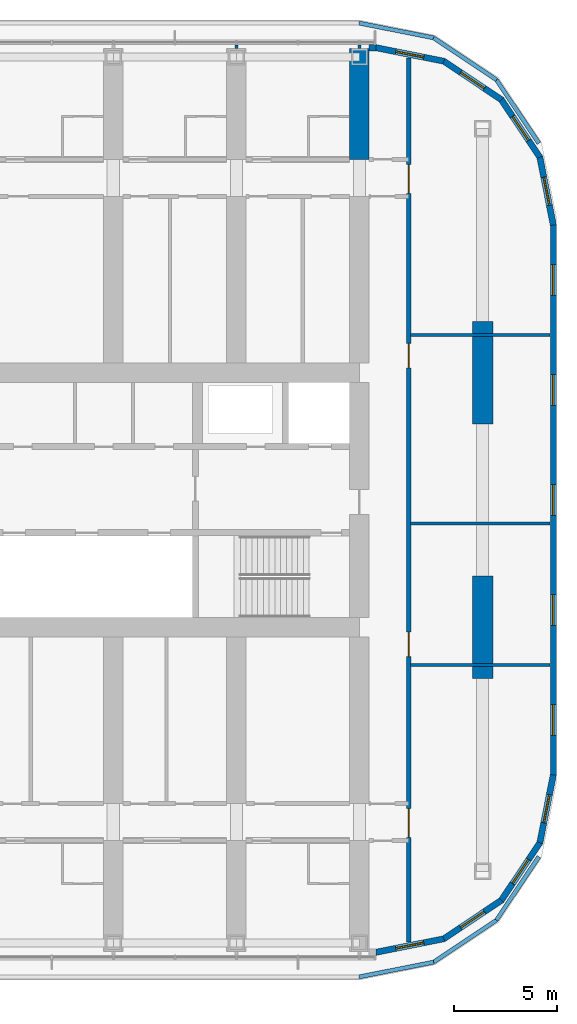
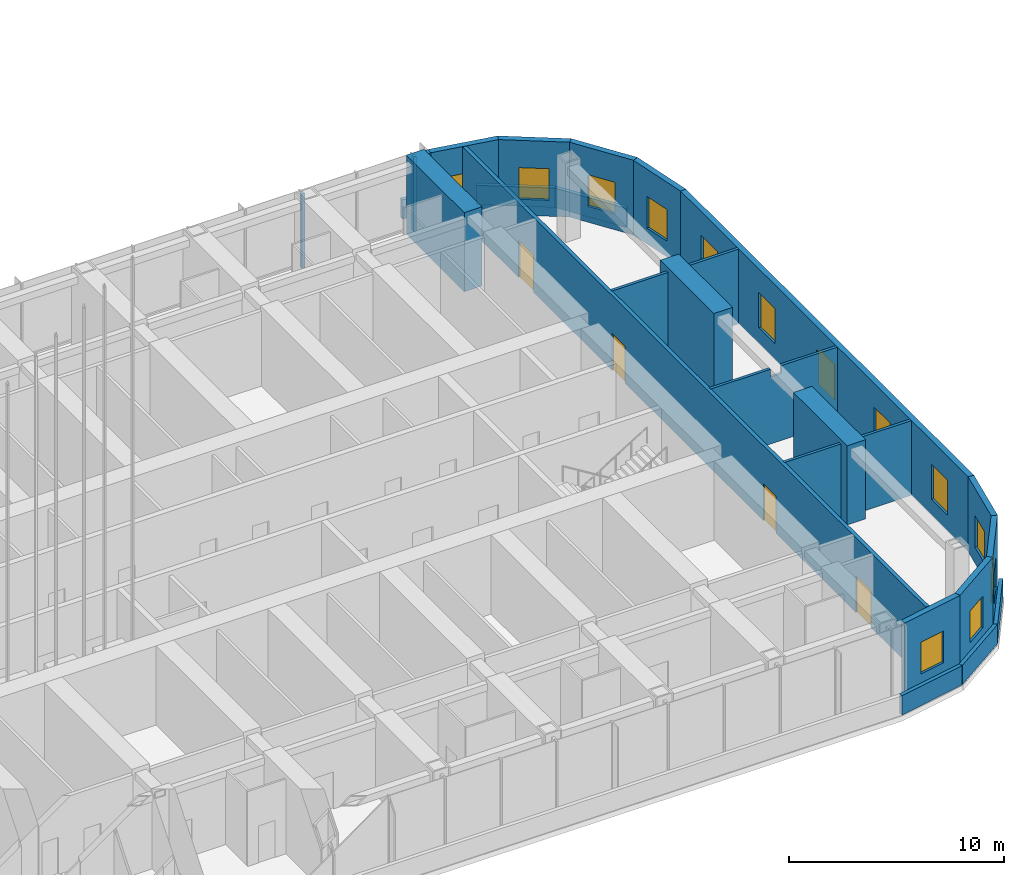
# One storey, part 17 of 32: 25 walls, 13 windows, 4 doors, 17 openings.
"""IFC4 building model written with IfcOpenShell, lengths in metres."""

from ifc_helpers import new_model, si_unit, direction, frame, frame_2d, origin, place, context, subcontext, project, spatial, polyline, rectangle, outline, extrude, material, layer, layer_set, type_object, element, fill, save


model = new_model("IFC4")

# Units and contexts
model_context = context("Model", 3, precision=1e-05, world=origin(), true_north=direction((0.0, 1.0)))
body_context = subcontext(model_context, "Body", "Model", "MODEL_VIEW")
ifc_project = project(units=[si_unit("LENGTHUNIT", "METRE"), si_unit("AREAUNIT", "SQUARE_METRE"), si_unit("VOLUMEUNIT", "CUBIC_METRE"), si_unit("PLANEANGLEUNIT", "RADIAN"), si_unit("MASSUNIT", "GRAM", prefix="KILO")], contexts=[model_context])

# Site, building, storey
site_placement = place(None, origin())
site = spatial("IfcSite", under=ifc_project, at=site_placement, CompositionType="ELEMENT")
building_placement = place(site_placement, origin())
building = spatial("IfcBuilding", under=site, at=building_placement, Name="Orbita Commons", CompositionType="ELEMENT")
storey_placement = place(building_placement, frame((0.0, 0.0, 140.35009765625)))
storey = spatial("IfcBuildingStorey", under=building, at=storey_placement, Name="L34", CompositionType="ELEMENT", Elevation=140.35009765625)

# Wall, openings, doors
ifc_material_1 = material(Name="Concrete blockwork", Category="masonry")
ifc_layer_1 = layer(ifc_material_1, 0.199951171875)
ifc_layer_set_1 = layer_set([ifc_layer_1], Name="Concrete blockwork")
wall_type_1 = type_object("IfcWallType", Name="Corridor wall 200 blockwork", PredefinedType="SOLIDWALL", material=ifc_layer_set_1)
wall_1_placement = place(storey_placement, frame((68.39990234375, 10.4462890625, 0.0), z_axis=(0.0, 0.0, 1.0), x_axis=(0.0, 1.0, 0.0)))
wall_1 = element("IfcWall", 1, at=wall_1_placement, inside=storey, type_object=wall_type_1, Name="Corridor wall 200 blockwork L34", PredefinedType="SOLIDWALL", context=body_context, shape_type="SweptSolid", body=[
    extrude(rectangle(XDim=43.107421875, YDim=0.199951171875, at=frame_2d((21.5537109375, 0.0))), origin(), (0.0, 0.0, 1.0), 4.25),
])
opening_1_placement = place(wall_1_placement, frame((13.913818359375, 0.0, 0.0)))
opening_1 = element("IfcOpeningElement", 2, at=opening_1_placement, cuts=wall_1, Name="Opening D15", PredefinedType="OPENING", context=body_context, shape_type="SweptSolid", body=[
    extrude(rectangle(XDim=1.199951171875, YDim=2.10009765625, at=frame_2d((0.60009765625, 1.050048828125))), frame((0.0, 0.10986328125, 0.0), z_axis=(0.0, -1.0, 0.0), x_axis=(1.0, 0.0, 0.0)), (0.0, 0.0, 1.0), 0.219970703125),
])
opening_2_placement = place(wall_1_placement, frame((27.993896484375, 0.0, 0.0)))
opening_2 = element("IfcOpeningElement", 3, at=opening_2_placement, cuts=wall_1, Name="Opening D15", PredefinedType="OPENING", context=body_context, shape_type="SweptSolid", body=[
    extrude(rectangle(XDim=1.199951171875, YDim=2.10009765625, at=frame_2d((0.60009765625, 1.050048828125))), frame((0.0, 0.10986328125, 0.0), z_axis=(0.0, -1.0, 0.0), x_axis=(1.0, 0.0, 0.0)), (0.0, 0.0, 1.0), 0.219970703125),
])
opening_3_placement = place(wall_1_placement, frame((5.103759765625, 0.0, 0.0)))
opening_3 = element("IfcOpeningElement", 4, at=opening_3_placement, cuts=wall_1, Name="Opening D08", PredefinedType="OPENING", context=body_context, shape_type="SweptSolid", body=[
    extrude(rectangle(XDim=1.39990234375, YDim=2.10009765625, at=frame_2d((0.699951171875, 1.050048828125))), frame((0.0, 0.10986328125, 0.0), z_axis=(0.0, -1.0, 0.0), x_axis=(1.0, 0.0, 0.0)), (0.0, 0.0, 1.0), 0.219970703125),
])
opening_4_placement = place(wall_1_placement, frame((36.50390625, 0.0, 0.0)))
opening_4 = element("IfcOpeningElement", 5, at=opening_4_placement, cuts=wall_1, Name="Opening D08", PredefinedType="OPENING", context=body_context, shape_type="SweptSolid", body=[
    extrude(rectangle(XDim=1.39990234375, YDim=2.10009765625, at=frame_2d((0.699951171875, 1.050048828125))), frame((0.0, 0.10986328125, 0.0), z_axis=(0.0, -1.0, 0.0), x_axis=(1.0, 0.0, 0.0)), (0.0, 0.0, 1.0), 0.219970703125),
])
ifc_material_2 = material(Name="Steel-faced fire door leaf", Category="steel")
door_type_1 = type_object("IfcDoorType", Name="Corridor door 20 min 1200x2100", OperationType="SINGLE_SWING_LEFT", PredefinedType="DOOR", material=ifc_material_2)
door_1_placement = place(opening_1_placement, origin())
door_1 = element("IfcDoor", 6, at=door_1_placement, inside=storey, type_object=door_type_1, Name="Study hall door", OperationType="SINGLE_SWING_LEFT", OverallHeight=2.10009765625, OverallWidth=1.199951171875, PredefinedType="DOOR", context=body_context, shape_type="SweptSolid", body=[
    extrude(rectangle(XDim=1.199951171875, YDim=2.10009765625, at=frame_2d((0.60009765625, 1.050048828125))), frame((0.0, 0.02490234375, 0.0), z_axis=(0.0, -1.0, 0.0), x_axis=(1.0, 0.0, 0.0)), (0.0, 0.0, 1.0), 0.050048828125),
])
fill(opening_1, door_1)
door_2_placement = place(opening_2_placement, origin())
door_2 = element("IfcDoor", 7, at=door_2_placement, inside=storey, type_object=door_type_1, Name="Study hall door", OperationType="SINGLE_SWING_LEFT", OverallHeight=2.10009765625, OverallWidth=1.199951171875, PredefinedType="DOOR", context=body_context, shape_type="SweptSolid", body=[
    extrude(rectangle(XDim=1.199951171875, YDim=2.10009765625, at=frame_2d((0.60009765625, 1.050048828125))), frame((0.0, 0.02490234375, 0.0), z_axis=(0.0, -1.0, 0.0), x_axis=(1.0, 0.0, 0.0)), (0.0, 0.0, 1.0), 0.050048828125),
])
fill(opening_2, door_2)
ifc_material_3 = material(Name="Steel-faced fire door leaf", Category="steel")
door_type_2 = type_object("IfcDoorType", Name="Double corridor door 20 min 1400x2100", OperationType="DOUBLE_DOOR_SINGLE_SWING", PredefinedType="DOOR", material=ifc_material_3)
door_3_placement = place(opening_3_placement, origin())
door_3 = element("IfcDoor", 8, at=door_3_placement, inside=storey, type_object=door_type_2, Name="Lounge doors", OperationType="DOUBLE_DOOR_SINGLE_SWING", OverallHeight=2.10009765625, OverallWidth=1.39990234375, PredefinedType="DOOR", context=body_context, shape_type="SweptSolid", body=[
    extrude(rectangle(XDim=1.39990234375, YDim=2.10009765625, at=frame_2d((0.699951171875, 1.050048828125))), frame((0.0, 0.02490234375, 0.0), z_axis=(0.0, -1.0, 0.0), x_axis=(1.0, 0.0, 0.0)), (0.0, 0.0, 1.0), 0.050048828125),
])
fill(opening_3, door_3)
door_4_placement = place(opening_4_placement, origin())
door_4 = element("IfcDoor", 9, at=door_4_placement, inside=storey, type_object=door_type_2, Name="Lounge doors", OperationType="DOUBLE_DOOR_SINGLE_SWING", OverallHeight=2.10009765625, OverallWidth=1.39990234375, PredefinedType="DOOR", context=body_context, shape_type="SweptSolid", body=[
    extrude(rectangle(XDim=1.39990234375, YDim=2.10009765625, at=frame_2d((0.699951171875, 1.050048828125))), frame((0.0, 0.02490234375, 0.0), z_axis=(0.0, -1.0, 0.0), x_axis=(1.0, 0.0, 0.0)), (0.0, 0.0, 1.0), 0.050048828125),
])
fill(opening_4, door_4)

# Walls
ifc_material_4 = material(Name="Concrete C50/60", Category="concrete")
ifc_layer_2 = layer(ifc_material_4, 0.949951171875)
ifc_layer_set_2 = layer_set([ifc_layer_2], Name="Concrete C50/60")
wall_type_2 = type_object("IfcWallType", Name="Cross wall 950 C50/60", PredefinedType="SHEAR", material=ifc_layer_set_2)
wall_2_placement = place(storey_placement, frame((66.0, 48.60009765625, 0.0), z_axis=(0.0, 0.0, 1.0), x_axis=(0.0, 1.0, 0.0)))
element("IfcWall", 10, at=wall_2_placement, inside=storey, type_object=wall_type_2, Name="Cross wall 12 north outer L34", PredefinedType="SHEAR", context=body_context, shape_type="SweptSolid", body=[
    extrude(rectangle(XDim=5.39990234375, YDim=0.949951171875, at=frame_2d((2.699951171875, 0.0))), origin(), (0.0, 0.0, 1.0), 4.5),
])
ifc_material_5 = material(Name="Concrete C50/60", Category="concrete")
ifc_layer_3 = layer(ifc_material_5, 1.0)
ifc_layer_set_3 = layer_set([ifc_layer_3], Name="Concrete C50/60")
wall_type_3 = type_object("IfcWallType", Name="End pier 1000x5000 C50/60", PredefinedType="SHEAR", material=ifc_layer_set_3)
for number, where, z_axis, x_axis, name in (
    (11, (72.0, 23.300048828125, 0.0), (0.0, 0.0, 1.0), (0.0, 1.0, 0.0), "End pier 13/C L34"),
    (12, (72.0, 35.699951171875, 0.0), (0.0, 0.0, 1.0), (0.0, 1.0, 0.0), "End pier 13/D L34"),
):
    element("IfcWall", number, at=place(storey_placement, frame(where, z_axis=z_axis, x_axis=x_axis)), inside=storey, type_object=wall_type_3, Name=name, PredefinedType="SHEAR", context=body_context, shape_type="SweptSolid", body=[
        extrude(rectangle(XDim=5.0, YDim=1.0, at=frame_2d((2.5, 0.0))), origin(), (0.0, 0.0, 1.0), 4.5),
    ])
ifc_material_6 = material(Name="Gypsum plasterboard on steel studs", Category="steel")
ifc_layer_4 = layer(ifc_material_6, 0.14990234375)
ifc_layer_set_4 = layer_set([ifc_layer_4], Name="Gypsum plasterboard on steel studs")
wall_type_4 = type_object("IfcWallType", Name="Partition 150 plasterboard", PredefinedType="PARTITIONING", material=ifc_layer_set_4)
wall_3_placement = place(storey_placement, frame((68.47509765625, 30.85009765625, 0.0), z_axis=(0.0, 0.0, 1.0), x_axis=(1.0, 0.0, 0.0)))
element("IfcWall", 13, at=wall_3_placement, inside=storey, type_object=wall_type_4, Name="Partition 150 plasterboard L34", PredefinedType="PARTITIONING", context=body_context, shape_type="SweptSolid", body=[
    extrude(outline(polyline([(0.0, 0.0), (6.81982421875, 0.0), (6.820068359375, 4.25), (3.826904296875, 4.25), (3.824951171875, 3.7998046875), (3.22705078125, 3.7998046875), (3.22509765625, 4.25), (0.0, 4.25), (0.0, 0.0)])), frame((0.0, 0.074951171875, 0.0), z_axis=(0.0, -1.0, 0.0), x_axis=(1.0, 0.0, 0.0)), (0.0, 0.0, 1.0), 0.14990234375),
])
for number, where, z_axis, x_axis, name in (
    (14, (68.47509765625, 23.9599609375, 0.0), (0.0, 0.0, 1.0), (1.0, 0.0, 0.0), "Partition 150 plasterboard L34"),
    (15, (68.47509765625, 40.0400390625, 0.0), (0.0, 0.0, 1.0), (1.0, 0.0, 0.0), "Partition 150 plasterboard L34"),
):
    element("IfcWall", number, at=place(storey_placement, frame(where, z_axis=z_axis, x_axis=x_axis)), inside=storey, type_object=wall_type_4, Name=name, PredefinedType="PARTITIONING", context=body_context, shape_type="SweptSolid", body=[
        extrude(rectangle(XDim=6.81982421875, YDim=0.14990234375, at=frame_2d((3.409912109375, 0.0))), origin(), (0.0, 0.0, 1.0), 4.25),
    ])
for number, where, z_axis, x_axis, name in (
    (16, (60.0, 54.0, 0.0), (0.0, 0.0, 1.0), (0.0, 1.0, 0.0), "Partition 150 plasterboard L34"),
    (17, (66.0, 54.0, 0.0), (0.0, 0.0, 1.0), (0.0, 1.0, 0.0), "Partition 150 plasterboard L34"),
):
    element("IfcWall", number, at=place(storey_placement, frame(where, z_axis=z_axis, x_axis=x_axis)), inside=storey, type_object=wall_type_4, Name=name, PredefinedType="PARTITIONING", context=body_context, shape_type="SweptSolid", body=[
        extrude(rectangle(XDim=0.18994140625, YDim=0.14990234375, at=frame_2d((0.094970703125, 0.0))), origin(), (0.0, 0.0, 1.0), 4.25),
    ])

# Wall, openings, windows
ifc_material_7 = material(Name="Precast concrete C40/50, white board-marked finish", Category="concrete")
ifc_layer_5 = layer(ifc_material_7, 0.300048828125)
ifc_layer_set_5 = layer_set([ifc_layer_5], Name="Precast concrete C40/50, white board-marked finish")
wall_type_5 = type_object("IfcWallType", Name="Precast concrete end shield 300", PredefinedType="SOLIDWALL", material=ifc_layer_set_5)
wall_4_placement = place(storey_placement, frame((75.449951171875, 18.60009765625, 0.0), z_axis=(0.0, 0.0, 1.0), x_axis=(0.0, 1.0, 0.0)))
wall_4 = element("IfcWall", 18, at=wall_4_placement, inside=storey, type_object=wall_type_5, Name="End shield E L34", PredefinedType="SOLIDWALL", context=body_context, shape_type="SweptSolid", body=[
    extrude(outline(polyline([(-0.014892578125, -0.14990234375), (26.814697265625, -0.14990234375), (26.784912109375, 0.14990234375), (0.014892578125, 0.14990234375), (-0.014892578125, -0.14990234375)])), origin(), (0.0, 0.0, 1.0), 4.25),
])
opening_5_placement = place(wall_4_placement, frame((1.929931640625, 0.0, 0.89990234375)))
opening_5 = element("IfcOpeningElement", 19, at=opening_5_placement, cuts=wall_4, Name="Opening W01", PredefinedType="OPENING", context=body_context, shape_type="SweptSolid", body=[
    extrude(rectangle(XDim=1.5, YDim=2.0, at=frame_2d((0.75, 1.0))), frame((0.0, 0.159912109375, 0.0), z_axis=(0.0, -1.0, 0.0), x_axis=(1.0, 0.0, 0.0)), (0.0, 0.0, 1.0), 0.320068359375),
])
opening_6_placement = place(wall_4_placement, frame((7.2900390625, 0.0, 0.89990234375)))
opening_6 = element("IfcOpeningElement", 20, at=opening_6_placement, cuts=wall_4, Name="Opening W01", PredefinedType="OPENING", context=body_context, shape_type="SweptSolid", body=[
    extrude(rectangle(XDim=1.5, YDim=2.0, at=frame_2d((0.75, 1.0))), frame((0.0, 0.159912109375, 0.0), z_axis=(0.0, -1.0, 0.0), x_axis=(1.0, 0.0, 0.0)), (0.0, 0.0, 1.0), 0.320068359375),
])
opening_7_placement = place(wall_4_placement, frame((12.64990234375, 0.0, 0.89990234375)))
opening_7 = element("IfcOpeningElement", 21, at=opening_7_placement, cuts=wall_4, Name="Opening W01", PredefinedType="OPENING", context=body_context, shape_type="SweptSolid", body=[
    extrude(rectangle(XDim=1.5, YDim=2.0, at=frame_2d((0.75, 1.0))), frame((0.0, 0.159912109375, 0.0), z_axis=(0.0, -1.0, 0.0), x_axis=(1.0, 0.0, 0.0)), (0.0, 0.0, 1.0), 0.320068359375),
])
opening_8_placement = place(wall_4_placement, frame((18.010009765625, 0.0, 0.89990234375)))
opening_8 = element("IfcOpeningElement", 22, at=opening_8_placement, cuts=wall_4, Name="Opening W01", PredefinedType="OPENING", context=body_context, shape_type="SweptSolid", body=[
    extrude(rectangle(XDim=1.5, YDim=2.0, at=frame_2d((0.75, 1.0))), frame((0.0, 0.159912109375, 0.0), z_axis=(0.0, -1.0, 0.0), x_axis=(1.0, 0.0, 0.0)), (0.0, 0.0, 1.0), 0.320068359375),
])
opening_9_placement = place(wall_4_placement, frame((23.3701171875, 0.0, 0.89990234375)))
opening_9 = element("IfcOpeningElement", 23, at=opening_9_placement, cuts=wall_4, Name="Opening W01", PredefinedType="OPENING", context=body_context, shape_type="SweptSolid", body=[
    extrude(rectangle(XDim=1.5, YDim=2.0, at=frame_2d((0.75, 1.0))), frame((0.0, 0.159912109375, 0.0), z_axis=(0.0, -1.0, 0.0), x_axis=(1.0, 0.0, 0.0)), (0.0, 0.0, 1.0), 0.320068359375),
])
ifc_material_8 = material(Name="Aluminium frame, clear double glazing", Category="aluminium")
window_type_1 = type_object("IfcWindowType", Name="Deep-set window 1500x2000", PartitioningType="SINGLE_PANEL", PredefinedType="WINDOW", material=ifc_material_8)
window_1_placement = place(opening_5_placement, origin())
window_1 = element("IfcWindow", 24, at=window_1_placement, inside=storey, type_object=window_type_1, Name="Window L34-E 1", OverallHeight=2.0, OverallWidth=1.5, PartitioningType="SINGLE_PANEL", PredefinedType="WINDOW", context=body_context, shape_type="SweptSolid", body=[
    extrude(rectangle(XDim=1.5, YDim=2.0, at=frame_2d((0.75, 1.0))), frame((0.0, 0.030029296875, 0.0), z_axis=(0.0, -1.0, 0.0), x_axis=(1.0, 0.0, 0.0)), (0.0, 0.0, 1.0), 0.06005859375),
])
fill(opening_5, window_1)
window_2_placement = place(opening_6_placement, origin())
window_2 = element("IfcWindow", 25, at=window_2_placement, inside=storey, type_object=window_type_1, Name="Window L34-E 2", OverallHeight=2.0, OverallWidth=1.5, PartitioningType="SINGLE_PANEL", PredefinedType="WINDOW", context=body_context, shape_type="SweptSolid", body=[
    extrude(rectangle(XDim=1.5, YDim=2.0, at=frame_2d((0.75, 1.0))), frame((0.0, 0.030029296875, 0.0), z_axis=(0.0, -1.0, 0.0), x_axis=(1.0, 0.0, 0.0)), (0.0, 0.0, 1.0), 0.06005859375),
])
fill(opening_6, window_2)
window_3_placement = place(opening_7_placement, origin())
window_3 = element("IfcWindow", 26, at=window_3_placement, inside=storey, type_object=window_type_1, Name="Window L34-E 3", OverallHeight=2.0, OverallWidth=1.5, PartitioningType="SINGLE_PANEL", PredefinedType="WINDOW", context=body_context, shape_type="SweptSolid", body=[
    extrude(rectangle(XDim=1.5, YDim=2.0, at=frame_2d((0.75, 1.0))), frame((0.0, 0.030029296875, 0.0), z_axis=(0.0, -1.0, 0.0), x_axis=(1.0, 0.0, 0.0)), (0.0, 0.0, 1.0), 0.06005859375),
])
fill(opening_7, window_3)
window_4_placement = place(opening_8_placement, origin())
window_4 = element("IfcWindow", 27, at=window_4_placement, inside=storey, type_object=window_type_1, Name="Window L34-E 4", OverallHeight=2.0, OverallWidth=1.5, PartitioningType="SINGLE_PANEL", PredefinedType="WINDOW", context=body_context, shape_type="SweptSolid", body=[
    extrude(rectangle(XDim=1.5, YDim=2.0, at=frame_2d((0.75, 1.0))), frame((0.0, 0.030029296875, 0.0), z_axis=(0.0, -1.0, 0.0), x_axis=(1.0, 0.0, 0.0)), (0.0, 0.0, 1.0), 0.06005859375),
])
fill(opening_8, window_4)
window_5_placement = place(opening_9_placement, origin())
window_5 = element("IfcWindow", 28, at=window_5_placement, inside=storey, type_object=window_type_1, Name="Window L34-E 5", OverallHeight=2.0, OverallWidth=1.5, PartitioningType="SINGLE_PANEL", PredefinedType="WINDOW", context=body_context, shape_type="SweptSolid", body=[
    extrude(rectangle(XDim=1.5, YDim=2.0, at=frame_2d((0.75, 1.0))), frame((0.0, 0.030029296875, 0.0), z_axis=(0.0, -1.0, 0.0), x_axis=(1.0, 0.0, 0.0)), (0.0, 0.0, 1.0), 0.06005859375),
])
fill(opening_9, window_5)

# Wall, opening, window
wall_5_placement = place(storey_placement, frame((66.800048828125, 9.949951171875, 0.0), z_axis=(0.0, 0.0, 1.0), x_axis=(0.98078325777, 0.195100490205, 0.0)))
wall_5 = element("IfcWall", 29, at=wall_5_placement, inside=storey, type_object=wall_type_5, Name="End shield SE chord 1 L34", PredefinedType="SOLIDWALL", context=body_context, shape_type="SweptSolid", body=[
    extrude(outline(polyline([(-0.02978515625, -0.14990234375), (3.40478515625, -0.14990234375), (3.34521484375, 0.14990234375), (0.02978515625, 0.14990234375), (-0.02978515625, -0.14990234375)])), origin(), (0.0, 0.0, 1.0), 4.25),
])
opening_10_placement = place(wall_5_placement, frame((0.987548828125, 0.0, 0.89990234375)))
opening_10 = element("IfcOpeningElement", 30, at=opening_10_placement, cuts=wall_5, Name="Opening W02", PredefinedType="OPENING", context=body_context, shape_type="SweptSolid", body=[
    extrude(rectangle(XDim=1.39990234375, YDim=1.800048828125, at=frame_2d((0.699951171875, 0.89990234375))), frame((0.0, 0.159912109375, 0.0), z_axis=(0.0, -1.0, 0.0), x_axis=(1.0, 0.0, 0.0)), (0.0, 0.0, 1.0), 0.320068359375),
])
ifc_material_9 = material(Name="Aluminium frame, clear double glazing", Category="aluminium")
window_type_2 = type_object("IfcWindowType", Name="Deep-set window 1400x1800", PartitioningType="SINGLE_PANEL", PredefinedType="WINDOW", material=ifc_material_9)
window_6_placement = place(opening_10_placement, origin())
window_6 = element("IfcWindow", 31, at=window_6_placement, inside=storey, type_object=window_type_2, Name="Window L34-SE0", OverallHeight=1.800048828125, OverallWidth=1.39990234375, PartitioningType="SINGLE_PANEL", PredefinedType="WINDOW", context=body_context, shape_type="SweptSolid", body=[
    extrude(rectangle(XDim=1.39990234375, YDim=1.800048828125, at=frame_2d((0.699951171875, 0.89990234375))), frame((0.0, 0.030029296875, 0.0), z_axis=(0.0, -1.0, 0.0), x_axis=(1.0, 0.0, 0.0)), (0.0, 0.0, 1.0), 0.06005859375),
])
fill(opening_10, window_6)

wall_6_placement = place(storey_placement, frame((70.110107421875, 10.6083984375, 0.0), z_axis=(0.0, 0.0, 1.0), x_axis=(0.831493450887, 0.555534554399, 0.0)))
wall_6 = element("IfcWall", 32, at=wall_6_placement, inside=storey, type_object=wall_type_5, Name="End shield SE chord 2 L34", PredefinedType="SOLIDWALL", context=body_context, shape_type="SweptSolid", body=[
    extrude(outline(polyline([(-0.02978515625, -0.14990234375), (3.405029296875, -0.14990234375), (3.345458984375, 0.14990234375), (0.02978515625, 0.14990234375), (-0.02978515625, -0.14990234375)])), origin(), (0.0, 0.0, 1.0), 4.25),
])
opening_11_placement = place(wall_6_placement, frame((0.987548828125, 0.0, 0.89990234375)))
opening_11 = element("IfcOpeningElement", 33, at=opening_11_placement, cuts=wall_6, Name="Opening W02", PredefinedType="OPENING", context=body_context, shape_type="SweptSolid", body=[
    extrude(rectangle(XDim=1.39990234375, YDim=1.800048828125, at=frame_2d((0.699951171875, 0.89990234375))), frame((0.0, 0.159912109375, 0.0), z_axis=(0.0, -1.0, 0.0), x_axis=(1.0, 0.0, 0.0)), (0.0, 0.0, 1.0), 0.320068359375),
])
window_7_placement = place(opening_11_placement, origin())
window_7 = element("IfcWindow", 34, at=window_7_placement, inside=storey, type_object=window_type_2, Name="Window L34-SE1", OverallHeight=1.800048828125, OverallWidth=1.39990234375, PartitioningType="SINGLE_PANEL", PredefinedType="WINDOW", context=body_context, shape_type="SweptSolid", body=[
    extrude(rectangle(XDim=1.39990234375, YDim=1.800048828125, at=frame_2d((0.699951171875, 0.89990234375))), frame((0.0, 0.030029296875, 0.0), z_axis=(0.0, -1.0, 0.0), x_axis=(1.0, 0.0, 0.0)), (0.0, 0.0, 1.0), 0.06005859375),
])
fill(opening_11, window_7)

wall_7_placement = place(storey_placement, frame((72.91650390625, 12.4833984375, 0.0), z_axis=(0.0, 0.0, 1.0), x_axis=(0.555534554399, 0.831493450887, 0.0)))
wall_7 = element("IfcWall", 35, at=wall_7_placement, inside=storey, type_object=wall_type_5, Name="End shield SE chord 3 L34", PredefinedType="SOLIDWALL", context=body_context, shape_type="SweptSolid", body=[
    extrude(outline(polyline([(-0.02978515625, -0.14990234375), (3.405029296875, -0.14990234375), (3.345458984375, 0.14990234375), (0.02978515625, 0.14990234375), (-0.02978515625, -0.14990234375)])), origin(), (0.0, 0.0, 1.0), 4.25),
])
opening_12_placement = place(wall_7_placement, frame((0.987548828125, 0.0, 0.89990234375)))
opening_12 = element("IfcOpeningElement", 36, at=opening_12_placement, cuts=wall_7, Name="Opening W02", PredefinedType="OPENING", context=body_context, shape_type="SweptSolid", body=[
    extrude(rectangle(XDim=1.39990234375, YDim=1.800048828125, at=frame_2d((0.699951171875, 0.89990234375))), frame((0.0, 0.159912109375, 0.0), z_axis=(0.0, -1.0, 0.0), x_axis=(1.0, 0.0, 0.0)), (0.0, 0.0, 1.0), 0.320068359375),
])
window_8_placement = place(opening_12_placement, origin())
window_8 = element("IfcWindow", 37, at=window_8_placement, inside=storey, type_object=window_type_2, Name="Window L34-SE2", OverallHeight=1.800048828125, OverallWidth=1.39990234375, PartitioningType="SINGLE_PANEL", PredefinedType="WINDOW", context=body_context, shape_type="SweptSolid", body=[
    extrude(rectangle(XDim=1.39990234375, YDim=1.800048828125, at=frame_2d((0.699951171875, 0.89990234375))), frame((0.0, 0.030029296875, 0.0), z_axis=(0.0, -1.0, 0.0), x_axis=(1.0, 0.0, 0.0)), (0.0, 0.0, 1.0), 0.06005859375),
])
fill(opening_12, window_8)

wall_8_placement = place(storey_placement, frame((74.79150390625, 15.289794921875, 0.0), z_axis=(0.0, 0.0, 1.0), x_axis=(0.19508664885, 0.980786011034, 0.0)))
wall_8 = element("IfcWall", 38, at=wall_8_placement, inside=storey, type_object=wall_type_5, Name="End shield SE chord 4 L34", PredefinedType="SOLIDWALL", context=body_context, shape_type="SweptSolid", body=[
    extrude(outline(polyline([(-0.02978515625, -0.14990234375), (3.39013671875, -0.14990234375), (3.3603515625, 0.14990234375), (0.02978515625, 0.14990234375), (-0.02978515625, -0.14990234375)])), origin(), (0.0, 0.0, 1.0), 4.25),
])
opening_13_placement = place(wall_8_placement, frame((0.987548828125, 0.0, 0.89990234375)))
opening_13 = element("IfcOpeningElement", 39, at=opening_13_placement, cuts=wall_8, Name="Opening W02", PredefinedType="OPENING", context=body_context, shape_type="SweptSolid", body=[
    extrude(rectangle(XDim=1.39990234375, YDim=1.800048828125, at=frame_2d((0.699951171875, 0.89990234375))), frame((0.0, 0.159912109375, 0.0), z_axis=(0.0, -1.0, 0.0), x_axis=(1.0, 0.0, 0.0)), (0.0, 0.0, 1.0), 0.320068359375),
])
window_9_placement = place(opening_13_placement, origin())
window_9 = element("IfcWindow", 40, at=window_9_placement, inside=storey, type_object=window_type_2, Name="Window L34-SE3", OverallHeight=1.800048828125, OverallWidth=1.39990234375, PartitioningType="SINGLE_PANEL", PredefinedType="WINDOW", context=body_context, shape_type="SweptSolid", body=[
    extrude(rectangle(XDim=1.39990234375, YDim=1.800048828125, at=frame_2d((0.699951171875, 0.89990234375))), frame((0.0, 0.030029296875, 0.0), z_axis=(0.0, -1.0, 0.0), x_axis=(1.0, 0.0, 0.0)), (0.0, 0.0, 1.0), 0.06005859375),
])
fill(opening_13, window_9)

wall_9_placement = place(storey_placement, frame((75.449951171875, 45.39990234375, 0.0), z_axis=(0.0, 0.0, 1.0), x_axis=(-0.19508664885, 0.980786011034, 0.0)))
wall_9 = element("IfcWall", 41, at=wall_9_placement, inside=storey, type_object=wall_type_5, Name="End shield NE chord 1 L34", PredefinedType="SOLIDWALL", context=body_context, shape_type="SweptSolid", body=[
    extrude(outline(polyline([(-0.014892578125, -0.14990234375), (3.405029296875, -0.14990234375), (3.345458984375, 0.14990234375), (0.014892578125, 0.14990234375), (-0.014892578125, -0.14990234375)])), origin(), (0.0, 0.0, 1.0), 4.25),
])
opening_14_placement = place(wall_9_placement, frame((0.987548828125, 0.0, 0.89990234375)))
opening_14 = element("IfcOpeningElement", 42, at=opening_14_placement, cuts=wall_9, Name="Opening W02", PredefinedType="OPENING", context=body_context, shape_type="SweptSolid", body=[
    extrude(rectangle(XDim=1.39990234375, YDim=1.800048828125, at=frame_2d((0.699951171875, 0.89990234375))), frame((0.0, 0.159912109375, 0.0), z_axis=(0.0, -1.0, 0.0), x_axis=(1.0, 0.0, 0.0)), (0.0, 0.0, 1.0), 0.320068359375),
])
window_10_placement = place(opening_14_placement, origin())
window_10 = element("IfcWindow", 43, at=window_10_placement, inside=storey, type_object=window_type_2, Name="Window L34-NE0", OverallHeight=1.800048828125, OverallWidth=1.39990234375, PartitioningType="SINGLE_PANEL", PredefinedType="WINDOW", context=body_context, shape_type="SweptSolid", body=[
    extrude(rectangle(XDim=1.39990234375, YDim=1.800048828125, at=frame_2d((0.699951171875, 0.89990234375))), frame((0.0, 0.030029296875, 0.0), z_axis=(0.0, -1.0, 0.0), x_axis=(1.0, 0.0, 0.0)), (0.0, 0.0, 1.0), 0.06005859375),
])
fill(opening_14, window_10)

wall_10_placement = place(storey_placement, frame((74.79150390625, 48.710205078125, 0.0), z_axis=(0.0, 0.0, 1.0), x_axis=(-0.555534554399, 0.831493450887, 0.0)))
wall_10 = element("IfcWall", 44, at=wall_10_placement, inside=storey, type_object=wall_type_5, Name="End shield NE chord 2 L34", PredefinedType="SOLIDWALL", context=body_context, shape_type="SweptSolid", body=[
    extrude(outline(polyline([(-0.02978515625, -0.14990234375), (3.405029296875, -0.14990234375), (3.345458984375, 0.14990234375), (0.02978515625, 0.14990234375), (-0.02978515625, -0.14990234375)])), origin(), (0.0, 0.0, 1.0), 4.25),
])
opening_15_placement = place(wall_10_placement, frame((0.987548828125, 0.0, 0.89990234375)))
opening_15 = element("IfcOpeningElement", 45, at=opening_15_placement, cuts=wall_10, Name="Opening W02", PredefinedType="OPENING", context=body_context, shape_type="SweptSolid", body=[
    extrude(rectangle(XDim=1.39990234375, YDim=1.800048828125, at=frame_2d((0.699951171875, 0.89990234375))), frame((0.0, 0.159912109375, 0.0), z_axis=(0.0, -1.0, 0.0), x_axis=(1.0, 0.0, 0.0)), (0.0, 0.0, 1.0), 0.320068359375),
])
window_11_placement = place(opening_15_placement, origin())
window_11 = element("IfcWindow", 46, at=window_11_placement, inside=storey, type_object=window_type_2, Name="Window L34-NE1", OverallHeight=1.800048828125, OverallWidth=1.39990234375, PartitioningType="SINGLE_PANEL", PredefinedType="WINDOW", context=body_context, shape_type="SweptSolid", body=[
    extrude(rectangle(XDim=1.39990234375, YDim=1.800048828125, at=frame_2d((0.699951171875, 0.89990234375))), frame((0.0, 0.030029296875, 0.0), z_axis=(0.0, -1.0, 0.0), x_axis=(1.0, 0.0, 0.0)), (0.0, 0.0, 1.0), 0.06005859375),
])
fill(opening_15, window_11)

wall_11_placement = place(storey_placement, frame((72.91650390625, 51.5166015625, 0.0), z_axis=(0.0, 0.0, 1.0), x_axis=(-0.831493450887, 0.555534554399, 0.0)))
wall_11 = element("IfcWall", 47, at=wall_11_placement, inside=storey, type_object=wall_type_5, Name="End shield NE chord 3 L34", PredefinedType="SOLIDWALL", context=body_context, shape_type="SweptSolid", body=[
    extrude(outline(polyline([(-0.02978515625, -0.14990234375), (3.405029296875, -0.14990234375), (3.345458984375, 0.14990234375), (0.02978515625, 0.14990234375), (-0.02978515625, -0.14990234375)])), origin(), (0.0, 0.0, 1.0), 4.25),
])
opening_16_placement = place(wall_11_placement, frame((0.987548828125, 0.0, 0.89990234375)))
opening_16 = element("IfcOpeningElement", 48, at=opening_16_placement, cuts=wall_11, Name="Opening W02", PredefinedType="OPENING", context=body_context, shape_type="SweptSolid", body=[
    extrude(rectangle(XDim=1.39990234375, YDim=1.800048828125, at=frame_2d((0.699951171875, 0.89990234375))), frame((0.0, 0.159912109375, 0.0), z_axis=(0.0, -1.0, 0.0), x_axis=(1.0, 0.0, 0.0)), (0.0, 0.0, 1.0), 0.320068359375),
])
window_12_placement = place(opening_16_placement, origin())
window_12 = element("IfcWindow", 49, at=window_12_placement, inside=storey, type_object=window_type_2, Name="Window L34-NE2", OverallHeight=1.800048828125, OverallWidth=1.39990234375, PartitioningType="SINGLE_PANEL", PredefinedType="WINDOW", context=body_context, shape_type="SweptSolid", body=[
    extrude(rectangle(XDim=1.39990234375, YDim=1.800048828125, at=frame_2d((0.699951171875, 0.89990234375))), frame((0.0, 0.030029296875, 0.0), z_axis=(0.0, -1.0, 0.0), x_axis=(1.0, 0.0, 0.0)), (0.0, 0.0, 1.0), 0.06005859375),
])
fill(opening_16, window_12)

wall_12_placement = place(storey_placement, frame((70.110107421875, 53.3916015625, 0.0), z_axis=(0.0, 0.0, 1.0), x_axis=(-0.98078325777, 0.195100490205, 0.0)))
wall_12 = element("IfcWall", 50, at=wall_12_placement, inside=storey, type_object=wall_type_5, Name="End shield NE chord 4 L34", PredefinedType="SOLIDWALL", context=body_context, shape_type="SweptSolid", body=[
    extrude(outline(polyline([(-0.02978515625, -0.14990234375), (3.40478515625, -0.14990234375), (3.34521484375, 0.14990234375), (0.02978515625, 0.14990234375), (-0.02978515625, -0.14990234375)])), origin(), (0.0, 0.0, 1.0), 4.25),
])
opening_17_placement = place(wall_12_placement, frame((0.987548828125, 0.0, 0.89990234375)))
opening_17 = element("IfcOpeningElement", 51, at=opening_17_placement, cuts=wall_12, Name="Opening W02", PredefinedType="OPENING", context=body_context, shape_type="SweptSolid", body=[
    extrude(rectangle(XDim=1.39990234375, YDim=1.800048828125, at=frame_2d((0.699951171875, 0.89990234375))), frame((0.0, 0.159912109375, 0.0), z_axis=(0.0, -1.0, 0.0), x_axis=(1.0, 0.0, 0.0)), (0.0, 0.0, 1.0), 0.320068359375),
])
window_13_placement = place(opening_17_placement, origin())
window_13 = element("IfcWindow", 52, at=window_13_placement, inside=storey, type_object=window_type_2, Name="Window L34-NE3", OverallHeight=1.800048828125, OverallWidth=1.39990234375, PartitioningType="SINGLE_PANEL", PredefinedType="WINDOW", context=body_context, shape_type="SweptSolid", body=[
    extrude(rectangle(XDim=1.39990234375, YDim=1.800048828125, at=frame_2d((0.699951171875, 0.89990234375))), frame((0.0, 0.030029296875, 0.0), z_axis=(0.0, -1.0, 0.0), x_axis=(1.0, 0.0, 0.0)), (0.0, 0.0, 1.0), 0.06005859375),
])
fill(opening_17, window_13)

# Walls
wall_13_placement = place(storey_placement, frame((66.800048828125, 54.050048828125, 0.0), z_axis=(0.0, 0.0, 1.0), x_axis=(-1.0, 0.0, 0.0)))
element("IfcWall", 53, at=wall_13_placement, inside=storey, type_object=wall_type_5, Name="End shield NE closer L34", PredefinedType="SOLIDWALL", context=body_context, shape_type="SweptSolid", body=[
    extrude(rectangle(XDim=0.324951171875, YDim=0.300048828125, at=frame_2d((0.16259765625, 0.0))), origin(), (0.0, 0.0, 1.0), 4.25),
])
ifc_material_10 = material(Name="Precast concrete C40/50, white board-marked finish", Category="concrete")
ifc_layer_6 = layer(ifc_material_10, 0.199951171875)
ifc_layer_set_6 = layer_set([ifc_layer_6], Name="Precast concrete C40/50, white board-marked finish")
wall_type_6 = type_object("IfcWallType", Name="Precast parapet 200", PredefinedType="PARAPET", material=ifc_layer_set_6)
wall_14_placement = place(storey_placement, frame((74.744384765625, 14.609619140625, 0.0), z_axis=(0.0, 0.0, 1.0), x_axis=(-0.555533862817, -0.831493912945, 0.0)))
element("IfcWall", 54, at=wall_14_placement, inside=storey, type_object=wall_type_6, Name="Parapet L34 1.1", PredefinedType="PARAPET", context=body_context, shape_type="SweptSolid", body=[
    extrude(rectangle(XDim=3.7158203125, YDim=0.199951171875, at=frame_2d((1.85791015625, 0.0))), origin(), (0.0, 0.0, 1.0), 1.099853515625),
])
wall_15_placement = place(storey_placement, frame((72.68017578125, 11.52001953125, 0.0), z_axis=(0.0, 0.0, 1.0), x_axis=(-0.831479238083, -0.555555826751, 0.0)))
element("IfcWall", 55, at=wall_15_placement, inside=storey, type_object=wall_type_6, Name="Parapet L34 1.2", PredefinedType="PARAPET", context=body_context, shape_type="SweptSolid", body=[
    extrude(rectangle(XDim=3.68603515625, YDim=0.199951171875, at=frame_2d((1.843017578125, 0.0))), origin(), (0.0, 0.0, 1.0), 1.099853515625),
])
for number, where, z_axis, x_axis, name in (
    (56, (69.615234375, 9.47216796875, 0.0), (0.0, 0.0, 1.0), (-0.980780584923, -0.195113926303, 0.0), "Parapet L34 1.3"),
    (57, (65.985107421875, 55.25, 0.0), (0.0, 0.0, 1.0), (0.980780584923, -0.195113926303, 0.0), "Parapet L34 1.15"),
):
    element("IfcWall", number, at=place(storey_placement, frame(where, z_axis=z_axis, x_axis=x_axis)), inside=storey, type_object=wall_type_6, Name=name, PredefinedType="PARAPET", context=body_context, shape_type="SweptSolid", body=[
        extrude(rectangle(XDim=3.701171875, YDim=0.199951171875, at=frame_2d((1.8505859375, 0.0))), origin(), (0.0, 0.0, 1.0), 1.099853515625),
    ])
wall_16_placement = place(storey_placement, frame((69.615234375, 54.52783203125, 0.0), z_axis=(0.0, 0.0, 1.0), x_axis=(0.831479238083, -0.555555826751, 0.0)))
element("IfcWall", 58, at=wall_16_placement, inside=storey, type_object=wall_type_6, Name="Parapet L34 1.16", PredefinedType="PARAPET", context=body_context, shape_type="SweptSolid", body=[
    extrude(rectangle(XDim=3.68603515625, YDim=0.199951171875, at=frame_2d((1.843017578125, 0.0))), origin(), (0.0, 0.0, 1.0), 1.099853515625),
])
wall_17_placement = place(storey_placement, frame((72.68017578125, 52.47998046875, 0.0), z_axis=(0.0, 0.0, 1.0), x_axis=(0.555533862817, -0.831493912945, 0.0)))
element("IfcWall", 59, at=wall_17_placement, inside=storey, type_object=wall_type_6, Name="Parapet L34 1.17", PredefinedType="PARAPET", context=body_context, shape_type="SweptSolid", body=[
    extrude(rectangle(XDim=3.7158203125, YDim=0.199951171875, at=frame_2d((1.85791015625, 0.0))), origin(), (0.0, 0.0, 1.0), 1.099853515625),
])

save(model, "model.ifc")
